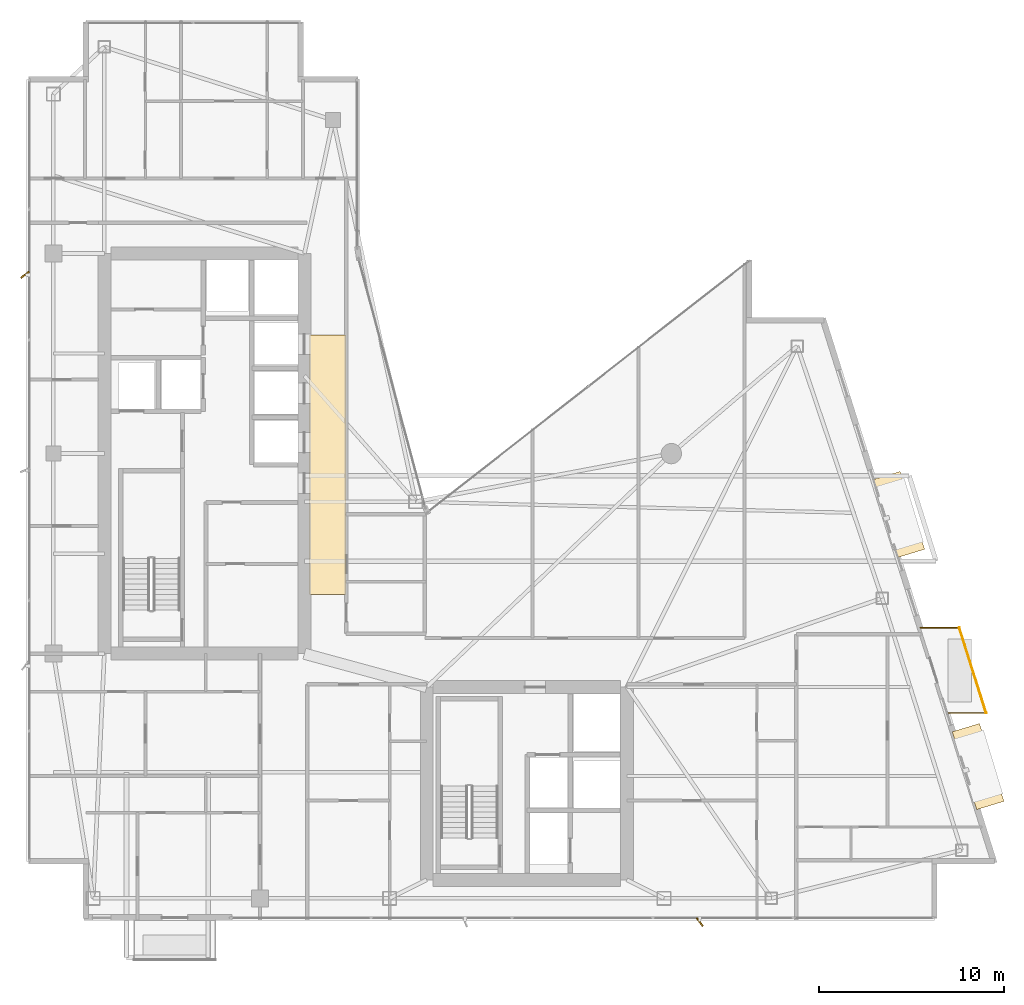
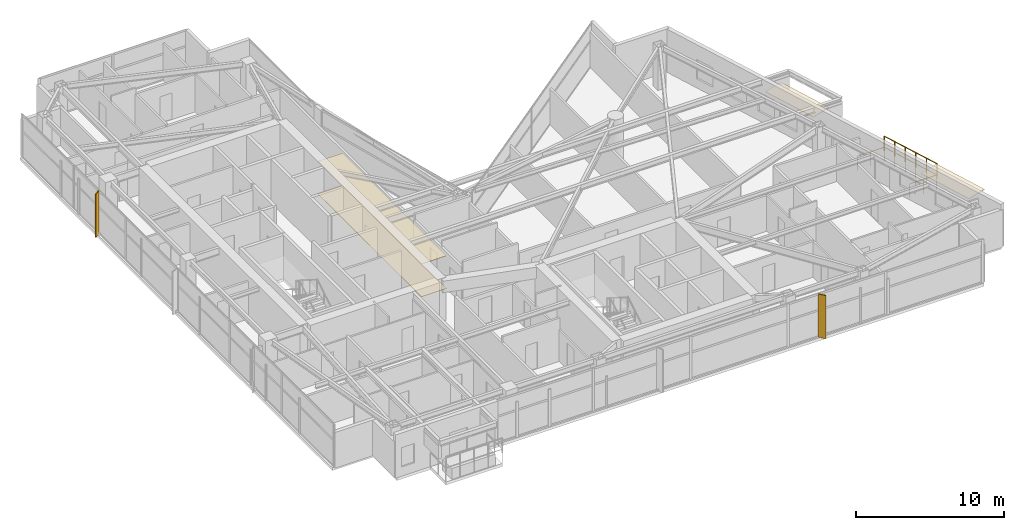
# One storey, part 30 of 30: 4 coverings, 2 railings, 2 shading devices.
"""IFC4 building model written with IfcOpenShell, lengths in metres."""

from ifc_helpers import new_model, si_unit, direction, frame, origin, origin_2d, place, context, subcontext, project, spatial, polyline, rectangle, circle, outline, extrude, material, layer, layer_set, type_object, element, save


model = new_model("IFC4")

# Units and contexts
model_context = context("Model", 3, precision=1e-05, world=origin(), true_north=direction((0.0, 1.0)))
body_context = subcontext(model_context, "Body", "Model", "MODEL_VIEW")
ifc_project = project(units=[si_unit("LENGTHUNIT", "METRE"), si_unit("AREAUNIT", "SQUARE_METRE"), si_unit("VOLUMEUNIT", "CUBIC_METRE"), si_unit("PLANEANGLEUNIT", "RADIAN"), si_unit("MASSUNIT", "GRAM", prefix="KILO")], contexts=[model_context])

# Site, building, storey
site_placement = place(None, origin())
site = spatial("IfcSite", under=ifc_project, at=site_placement, CompositionType="ELEMENT")
building_placement = place(site_placement, origin())
building = spatial("IfcBuilding", under=site, at=building_placement, Name="Calvorn Quay Hotel", CompositionType="ELEMENT")
storey_placement = place(building_placement, frame((0.0, 0.0, 203.39990234375)))
storey = spatial("IfcBuildingStorey", under=building, at=storey_placement, Name="L50", CompositionType="ELEMENT", Elevation=203.39990234375)

# Coverings
ifc_material_1 = material(Name="Anodised Aluminium Acoustic Baffle", Category="aluminium")
ifc_layer_1 = layer(ifc_material_1, 0.02001953125)
ifc_layer_set_1 = layer_set([ifc_layer_1], Name="COV-CEIL-METAL")
covering_type_1 = type_object("IfcCoveringType", Name="COV-CEIL-METAL", PredefinedType="CEILING", material=ifc_layer_set_1)
covering_1_placement = place(storey_placement, frame((16.25, 27.0, 2.7001953125), z_axis=(0.0, 0.0, 1.0), x_axis=(1.0, 0.0, 0.0)))
element("IfcCovering", 1, at=covering_1_placement, inside=storey, type_object=covering_type_1, Name="Acoustic Suspended Ceiling (L50)", PredefinedType="CEILING", context=body_context, shape_type="SweptSolid", body=[
    extrude(rectangle(XDim=1.9599609375, YDim=14.0, at=origin_2d()), origin(), (0.0, 0.0, 1.0), 0.02001953125),
])
ifc_material_2 = material(Name="Pale Anodised Aluminium Rainscreen Cladding", Category="aluminium")
ifc_layer_2 = layer(ifc_material_2, 0.044921875)
ifc_layer_set_2 = layer_set([ifc_layer_2], Name="COV-CROWN-CLAD")
covering_type_2 = type_object("IfcCoveringType", Name="COV-CROWN-CLAD", PredefinedType="CLADDING", material=ifc_layer_set_2)
covering_2_placement = place(storey_placement, frame((0.0, 0.0, 2.505126953125)))
element("IfcCovering", 2, at=covering_2_placement, inside=storey, type_object=covering_type_2, Name="Angled Bay Hood Canopy L50-HOOD-1", PredefinedType="CLADDING", context=body_context, shape_type="SweptSolid", body=[
    extrude(outline(polyline([(49.95703125, 12.587890625), (51.429931640625, 13.034912109375), (52.7529296875, 8.8349609375), (51.280029296875, 8.387939453125), (49.95703125, 12.587890625)])), origin(), (0.0, 0.0, 1.0), 0.044921875),
])
covering_3_placement = place(storey_placement, frame((0.0, 0.0, 2.505126953125)))
element("IfcCovering", 3, at=covering_3_placement, inside=storey, type_object=covering_type_2, Name="Angled Bay Hood Canopy L50-HOOD-3", PredefinedType="CLADDING", context=body_context, shape_type="SweptSolid", body=[
    extrude(outline(polyline([(45.672119140625, 26.18798828125), (47.14501953125, 26.635009765625), (48.468017578125, 22.43505859375), (46.9951171875, 21.988037109375), (45.672119140625, 26.18798828125)])), origin(), (0.0, 0.0, 1.0), 0.044921875),
])
ifc_material_3 = material(Name="Honed Granite Stone Flooring", Category="masonry")
ifc_layer_3 = layer(ifc_material_3, 0.02392578125)
ifc_layer_set_3 = layer_set([ifc_layer_3], Name="COV-FLOOR-STONE")
covering_type_3 = type_object("IfcCoveringType", Name="COV-FLOOR-STONE", PredefinedType="FLOORING", material=ifc_layer_set_3)
covering_4_placement = place(storey_placement, frame((16.25, 27.0, 0.000244140625), z_axis=(0.0, 0.0, 1.0), x_axis=(1.0, 0.0, 0.0)))
element("IfcCovering", 4, at=covering_4_placement, inside=storey, type_object=covering_type_3, Name="Interior Floor Finish (L50)", PredefinedType="FLOORING", context=body_context, shape_type="SweptSolid", body=[
    extrude(rectangle(XDim=1.9599609375, YDim=14.0, at=origin_2d()), origin(), (0.0, 0.0, 1.0), 0.02392578125),
])

# Railings
ifc_material_4 = material(Name="Pale Anodised Aluminium and Laminated Glass", Category="aluminium")
railing_type = type_object("IfcRailingType", Name="RLG-BALUSTRADE-1200", PredefinedType="BALUSTRADE", material=ifc_material_4)
railing_1_placement = place(storey_placement, frame((49.68896484375, 13.60009765625, 0.0)))
element("IfcRailing", 5, at=railing_1_placement, inside=storey, type_object=railing_type, Name="Tree Balcony Perimeter Balustrade L50-BALC-E", PredefinedType="BALUSTRADE", context=body_context, shape_type="SweptSolid", body=[
    extrude(circle(Radius=0.02392578125, at=origin_2d()), frame((0.0, 0.0, 1.17578125), z_axis=(1.0, 0.0, 0.0), x_axis=(0.0, 1.0, 0.0)), (0.0, 0.0, 1.0), 2.10009765625),
    extrude(circle(Radius=0.02392578125, at=origin_2d()), frame((2.10009765625, 0.0, 1.17578125), z_axis=(-0.300450487966, 0.953797412599, 0.0), x_axis=(-0.953797412599, -0.300450487966, 0.0)), (0.0, 0.0, 1.0), 4.82275390625),
    extrude(circle(Radius=0.02392578125, at=origin_2d()), frame((0.651123046875, 4.599853515625, 1.17578125), z_axis=(-1.0, 0.0, 0.0), x_axis=(0.0, -1.0, 0.0)), (0.0, 0.0, 1.0), 2.10009765625),
    extrude(circle(Radius=0.02099609375, at=origin_2d()), origin(), (0.0, 0.0, 1.0), 1.15185546875),
    extrude(circle(Radius=0.02099609375, at=origin_2d()), frame((1.050048828125, 0.0, 0.0)), (0.0, 0.0, 1.0), 1.15185546875),
    extrude(circle(Radius=0.02099609375, at=origin_2d()), frame((2.10009765625, 0.0, 0.0)), (0.0, 0.0, 1.0), 1.15185546875),
    extrude(circle(Radius=0.02099609375, at=origin_2d()), frame((1.810302734375, 0.919921875, 0.0)), (0.0, 0.0, 1.0), 1.15185546875),
    extrude(circle(Radius=0.02099609375, at=origin_2d()), frame((1.5205078125, 1.83984375, 0.0)), (0.0, 0.0, 1.0), 1.15185546875),
    extrude(circle(Radius=0.02099609375, at=origin_2d()), frame((1.230712890625, 2.760009765625, 0.0)), (0.0, 0.0, 1.0), 1.15185546875),
    extrude(circle(Radius=0.02099609375, at=origin_2d()), frame((0.94091796875, 3.679931640625, 0.0)), (0.0, 0.0, 1.0), 1.15185546875),
    extrude(circle(Radius=0.02099609375, at=origin_2d()), frame((0.651123046875, 4.599853515625, 0.0)), (0.0, 0.0, 1.0), 1.15185546875),
    extrude(circle(Radius=0.02099609375, at=origin_2d()), frame((-0.39892578125, 4.599853515625, 0.0)), (0.0, 0.0, 1.0), 1.15185546875),
    extrude(circle(Radius=0.02099609375, at=origin_2d()), frame((-1.448974609375, 4.599853515625, 0.0)), (0.0, 0.0, 1.0), 1.15185546875),
])
railing_2_placement = place(storey_placement, frame((51.7890625, 13.60009765625, 0.900146484375)))
element("IfcRailing", 6, at=railing_2_placement, inside=storey, type_object=railing_type, Name="Planter Kerb High Safety Screen L50-BALC-E", PredefinedType="BALUSTRADE", context=body_context, shape_type="SweptSolid", body=[
    extrude(circle(Radius=0.02392578125, at=origin_2d()), frame((0.0, 0.0, 1.19580078125), z_axis=(-0.300450487966, 0.953797412599, 0.0), x_axis=(-0.953797412599, -0.300450487966, 0.0)), (0.0, 0.0, 1.0), 4.82275390625),
    extrude(circle(Radius=0.02099609375, at=origin_2d()), origin(), (0.0, 0.0, 1.0), 1.171875),
    extrude(circle(Radius=0.02099609375, at=origin_2d()), frame((-0.289794921875, 0.919921875, 0.0)), (0.0, 0.0, 1.0), 1.171875),
    extrude(circle(Radius=0.02099609375, at=origin_2d()), frame((-0.57958984375, 1.83984375, 0.0)), (0.0, 0.0, 1.0), 1.171875),
    extrude(circle(Radius=0.02099609375, at=origin_2d()), frame((-0.869384765625, 2.760009765625, 0.0)), (0.0, 0.0, 1.0), 1.171875),
    extrude(circle(Radius=0.02099609375, at=origin_2d()), frame((-1.1591796875, 3.679931640625, 0.0)), (0.0, 0.0, 1.0), 1.171875),
    extrude(circle(Radius=0.02099609375, at=origin_2d()), frame((-1.448974609375, 4.599853515625, 0.0)), (0.0, 0.0, 1.0), 1.171875),
])

# Shading devices
ifc_material_5 = material(Name="Champagne Bronze Anodised Aluminium 6063-T6", Category="aluminium")
shading_device_type = type_object("IfcShadingDeviceType", Name="SHD-FIN-A2", PredefinedType="USERDEFINED", material=ifc_material_5)
for number, where, z_axis, x_axis, name in (
    (7, (-0.080078125, 37.25, 0.0), (0.0, 0.0, 1.0), (0.788010753607, 0.615661475326, 0.0), "Diagonal Sun-Shading Fin L50-W03"),
    (8, (36.3330078125, 2.320068359375, 0.0), (0.0, 0.0, 1.0), (-0.615661475326, 0.788010753607, 0.0), "Diagonal Sun-Shading Fin L50-S02"),
):
    element("IfcShadingDevice", number, at=place(storey_placement, frame(where, z_axis=z_axis, x_axis=x_axis)), inside=storey, type_object=shading_device_type, Name=name, ObjectType="FIN", PredefinedType="USERDEFINED", context=body_context, shape_type="SweptSolid", body=[
        extrude(rectangle(XDim=0.550048828125, YDim=0.080078125, at=origin_2d()), origin(), (0.0, 0.0, 1.0), 3.56005859375),
    ])

save(model, "model.ifc")
